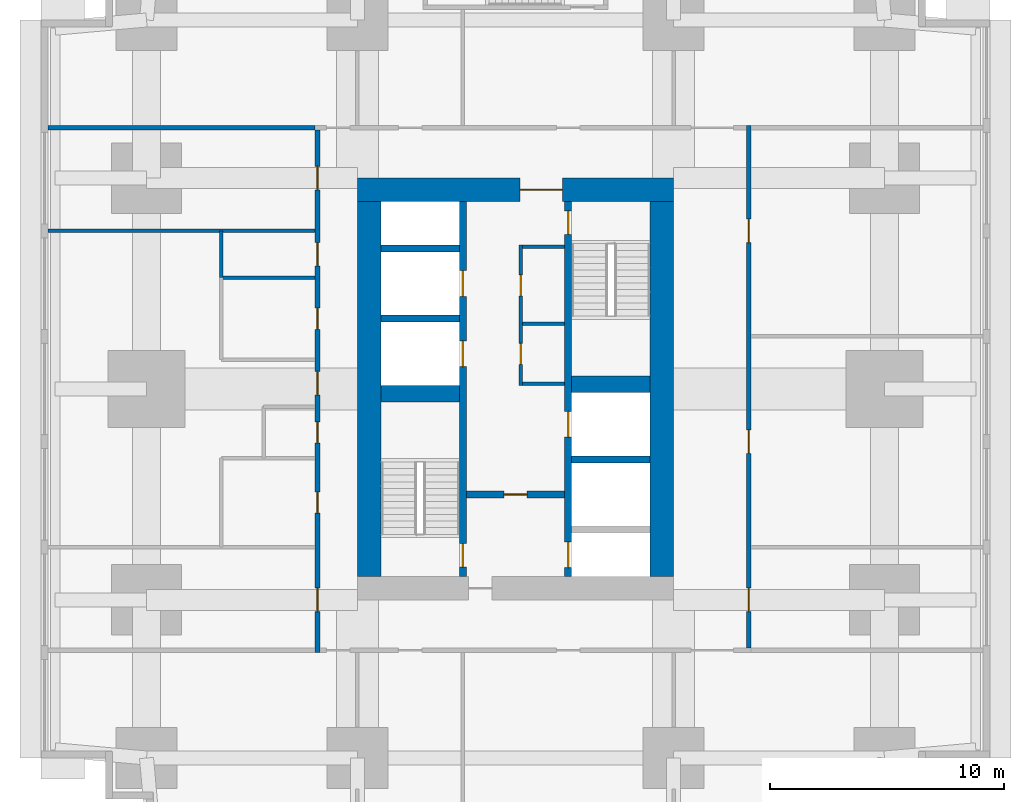
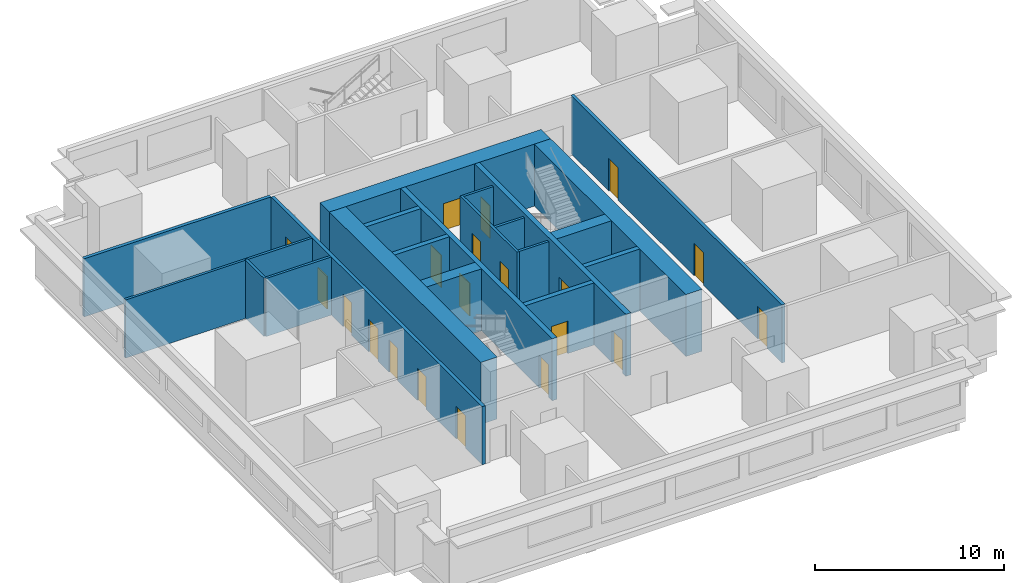
# One storey, part 4 of 11: 21 walls, 20 doors, 20 openings.
"""IFC4 building model written with IfcOpenShell, lengths in metres."""

from ifc_helpers import new_model, si_unit, direction, frame, frame_2d, origin, place, context, subcontext, project, spatial, rectangle, extrude, material, layer, layer_set, type_object, element, fill, save


model = new_model("IFC4")

# Units and contexts
model_context = context("Model", 3, precision=1e-05, world=origin(), true_north=direction((0.0, 1.0)))
body_context = subcontext(model_context, "Body", "Model", "MODEL_VIEW")
ifc_project = project(units=[si_unit("LENGTHUNIT", "METRE"), si_unit("AREAUNIT", "SQUARE_METRE"), si_unit("VOLUMEUNIT", "CUBIC_METRE"), si_unit("PLANEANGLEUNIT", "RADIAN"), si_unit("MASSUNIT", "GRAM", prefix="KILO")], contexts=[model_context])

# Site, building, storey
site_placement = place(None, origin())
site = spatial("IfcSite", under=ifc_project, at=site_placement, CompositionType="ELEMENT")
building_placement = place(site_placement, origin())
building = spatial("IfcBuilding", under=site, at=building_placement, Name="Namib Vertical Campus", CompositionType="ELEMENT")
storey_placement = place(building_placement, frame((0.0, 0.0, 37.0)))
storey = spatial("IfcBuildingStorey", under=building, at=storey_placement, Name="L08", CompositionType="ELEMENT", Elevation=37.0)

# Wall, openings, doors
ifc_material_1 = material(Name="Concrete C60/75", Category="concrete")
ifc_layer_1 = layer(ifc_material_1, 0.300048828125)
ifc_layer_set_1 = layer_set([ifc_layer_1], Name="Concrete C60/75")
wall_type_1 = type_object("IfcWallType", Name="Core inner wall 300", PredefinedType="SHEAR", material=ifc_layer_set_1)
wall_1_placement = place(storey_placement, frame((18.0, 12.25, 0.0), z_axis=(0.0, 0.0, 1.0), x_axis=(0.0, 1.0, 0.0)))
wall_1 = element("IfcWall", 1, at=wall_1_placement, inside=storey, type_object=wall_type_1, Name="Core inner wall A L08 W1", PredefinedType="SHEAR", context=body_context, shape_type="SweptSolid", body=[
    extrude(rectangle(XDim=16.0, YDim=0.300048828125, at=frame_2d((8.0, 0.0))), origin(), (0.0, 0.0, 1.0), 4.0),
])
opening_1_placement = place(wall_1_placement, frame((0.39990234375, 0.0, 0.0)))
opening_1 = element("IfcOpeningElement", 2, at=opening_1_placement, cuts=wall_1, Name="Opening FD1", PredefinedType="OPENING", context=body_context, shape_type="SweptSolid", body=[
    extrude(rectangle(XDim=1.0, YDim=2.10009765625, at=frame_2d((0.5, 1.050048828125))), frame((0.0, 0.159912109375, 0.0), z_axis=(0.0, -1.0, 0.0), x_axis=(1.0, 0.0, 0.0)), (0.0, 0.0, 1.0), 0.320068359375),
])
opening_2_placement = place(wall_1_placement, frame((8.949951171875, 0.0, 0.0)))
opening_2 = element("IfcOpeningElement", 3, at=opening_2_placement, cuts=wall_1, Name="Opening LD1", PredefinedType="OPENING", context=body_context, shape_type="SweptSolid", body=[
    extrude(rectangle(XDim=1.10009765625, YDim=2.10009765625, at=frame_2d((0.550048828125, 1.050048828125))), frame((0.0, 0.159912109375, 0.0), z_axis=(0.0, -1.0, 0.0), x_axis=(1.0, 0.0, 0.0)), (0.0, 0.0, 1.0), 0.320068359375),
])
opening_3_placement = place(wall_1_placement, frame((11.949951171875, 0.0, 0.0)))
opening_3 = element("IfcOpeningElement", 4, at=opening_3_placement, cuts=wall_1, Name="Opening LD1", PredefinedType="OPENING", context=body_context, shape_type="SweptSolid", body=[
    extrude(rectangle(XDim=1.10009765625, YDim=2.10009765625, at=frame_2d((0.550048828125, 1.050048828125))), frame((0.0, 0.159912109375, 0.0), z_axis=(0.0, -1.0, 0.0), x_axis=(1.0, 0.0, 0.0)), (0.0, 0.0, 1.0), 0.320068359375),
])
ifc_material_2 = material(Name="Steel fire door", Category="steel")
door_type_1 = type_object("IfcDoorType", Name="Fire door 1000x2100", OperationType="SINGLE_SWING_RIGHT", PredefinedType="DOOR", material=ifc_material_2)
door_1_placement = place(opening_1_placement, origin())
door_1 = element("IfcDoor", 5, at=door_1_placement, inside=storey, type_object=door_type_1, Name="Stair door FD1 A L08 S1", OperationType="SINGLE_SWING_LEFT", OverallHeight=2.10009765625, OverallWidth=1.0, PredefinedType="DOOR", context=body_context, shape_type="SweptSolid", body=[
    extrude(rectangle(XDim=1.0, YDim=2.10009765625, at=frame_2d((0.5, 1.050048828125))), frame((0.0, 0.02490234375, 0.0), z_axis=(0.0, -1.0, 0.0), x_axis=(1.0, 0.0, 0.0)), (0.0, 0.0, 1.0), 0.050048828125),
])
fill(opening_1, door_1)
ifc_material_3 = material(Name="Stainless steel lift door", Category="steel")
door_type_2 = type_object("IfcDoorType", Name="Lift landing door 1100x2100", OperationType="DOUBLE_DOOR_SLIDING", PredefinedType="DOOR", material=ifc_material_3)
door_2_placement = place(opening_2_placement, origin())
door_2 = element("IfcDoor", 6, at=door_2_placement, inside=storey, type_object=door_type_2, Name="Lift landing door LD1 A-P1 L08", OperationType="DOUBLE_DOOR_SLIDING", OverallHeight=2.10009765625, OverallWidth=1.10009765625, PredefinedType="DOOR", context=body_context, shape_type="SweptSolid", body=[
    extrude(rectangle(XDim=1.10009765625, YDim=2.10009765625, at=frame_2d((0.550048828125, 1.050048828125))), frame((0.0, 0.02490234375, 0.0), z_axis=(0.0, -1.0, 0.0), x_axis=(1.0, 0.0, 0.0)), (0.0, 0.0, 1.0), 0.050048828125),
])
fill(opening_2, door_2)
door_3_placement = place(opening_3_placement, origin())
door_3 = element("IfcDoor", 7, at=door_3_placement, inside=storey, type_object=door_type_2, Name="Lift landing door LD1 A-P2 L08", OperationType="DOUBLE_DOOR_SLIDING", OverallHeight=2.10009765625, OverallWidth=1.10009765625, PredefinedType="DOOR", context=body_context, shape_type="SweptSolid", body=[
    extrude(rectangle(XDim=1.10009765625, YDim=2.10009765625, at=frame_2d((0.550048828125, 1.050048828125))), frame((0.0, 0.02490234375, 0.0), z_axis=(0.0, -1.0, 0.0), x_axis=(1.0, 0.0, 0.0)), (0.0, 0.0, 1.0), 0.050048828125),
])
fill(opening_3, door_3)

wall_2_placement = place(storey_placement, frame((22.5, 12.25, 0.0), z_axis=(0.0, 0.0, 1.0), x_axis=(0.0, 1.0, 0.0)))
wall_2 = element("IfcWall", 8, at=wall_2_placement, inside=storey, type_object=wall_type_1, Name="Core inner wall A L08 W2", PredefinedType="SHEAR", context=body_context, shape_type="SweptSolid", body=[
    extrude(rectangle(XDim=16.0, YDim=0.300048828125, at=frame_2d((8.0, 0.0))), origin(), (0.0, 0.0, 1.0), 4.0),
])
opening_4_placement = place(wall_2_placement, frame((14.60009765625, 0.0, 0.0)))
opening_4 = element("IfcOpeningElement", 9, at=opening_4_placement, cuts=wall_2, Name="Opening FD1", PredefinedType="OPENING", context=body_context, shape_type="SweptSolid", body=[
    extrude(rectangle(XDim=1.0, YDim=2.10009765625, at=frame_2d((0.5, 1.050048828125))), frame((0.0, 0.159912109375, 0.0), z_axis=(0.0, -1.0, 0.0), x_axis=(1.0, 0.0, 0.0)), (0.0, 0.0, 1.0), 0.320068359375),
])
opening_5_placement = place(wall_2_placement, frame((0.375, 0.0, 0.0)))
opening_5 = element("IfcOpeningElement", 10, at=opening_5_placement, cuts=wall_2, Name="Opening LD1", PredefinedType="OPENING", context=body_context, shape_type="SweptSolid", body=[
    extrude(rectangle(XDim=1.10009765625, YDim=2.10009765625, at=frame_2d((0.550048828125, 1.050048828125))), frame((0.0, 0.159912109375, 0.0), z_axis=(0.0, -1.0, 0.0), x_axis=(1.0, 0.0, 0.0)), (0.0, 0.0, 1.0), 0.320068359375),
])
opening_6_placement = place(wall_2_placement, frame((5.949951171875, 0.0, 0.0)))
opening_6 = element("IfcOpeningElement", 11, at=opening_6_placement, cuts=wall_2, Name="Opening LD1", PredefinedType="OPENING", context=body_context, shape_type="SweptSolid", body=[
    extrude(rectangle(XDim=1.10009765625, YDim=2.10009765625, at=frame_2d((0.550048828125, 1.050048828125))), frame((0.0, 0.159912109375, 0.0), z_axis=(0.0, -1.0, 0.0), x_axis=(1.0, 0.0, 0.0)), (0.0, 0.0, 1.0), 0.320068359375),
])
door_4_placement = place(opening_4_placement, frame((1.0, 0.0, 0.0), z_axis=(0.0, 0.0, 1.0), x_axis=(-1.0, 0.0, 0.0)))
door_4 = element("IfcDoor", 12, at=door_4_placement, inside=storey, type_object=door_type_1, Name="Stair door FD1 A L08 S2", OperationType="SINGLE_SWING_LEFT", OverallHeight=2.10009765625, OverallWidth=1.0, PredefinedType="DOOR", context=body_context, shape_type="SweptSolid", body=[
    extrude(rectangle(XDim=1.0, YDim=2.10009765625, at=frame_2d((0.5, 1.050048828125))), frame((0.0, 0.02490234375, 0.0), z_axis=(0.0, -1.0, 0.0), x_axis=(1.0, 0.0, 0.0)), (0.0, 0.0, 1.0), 0.050048828125),
])
fill(opening_4, door_4)
door_5_placement = place(opening_5_placement, origin())
door_5 = element("IfcDoor", 13, at=door_5_placement, inside=storey, type_object=door_type_2, Name="Lift landing door LD1 A-FL1 L08", OperationType="DOUBLE_DOOR_SLIDING", OverallHeight=2.10009765625, OverallWidth=1.10009765625, PredefinedType="DOOR", context=body_context, shape_type="SweptSolid", body=[
    extrude(rectangle(XDim=1.10009765625, YDim=2.10009765625, at=frame_2d((0.550048828125, 1.050048828125))), frame((0.0, 0.02490234375, 0.0), z_axis=(0.0, -1.0, 0.0), x_axis=(1.0, 0.0, 0.0)), (0.0, 0.0, 1.0), 0.050048828125),
])
fill(opening_5, door_5)
door_6_placement = place(opening_6_placement, origin())
door_6 = element("IfcDoor", 14, at=door_6_placement, inside=storey, type_object=door_type_2, Name="Lift landing door LD1 A-P5 L08", OperationType="DOUBLE_DOOR_SLIDING", OverallHeight=2.10009765625, OverallWidth=1.10009765625, PredefinedType="DOOR", context=body_context, shape_type="SweptSolid", body=[
    extrude(rectangle(XDim=1.10009765625, YDim=2.10009765625, at=frame_2d((0.550048828125, 1.050048828125))), frame((0.0, 0.02490234375, 0.0), z_axis=(0.0, -1.0, 0.0), x_axis=(1.0, 0.0, 0.0)), (0.0, 0.0, 1.0), 0.050048828125),
])
fill(opening_6, door_6)

# Wall, opening, door
wall_3_placement = place(storey_placement, frame((18.14990234375, 15.75, 0.0), z_axis=(0.0, 0.0, 1.0), x_axis=(1.0, 0.0, 0.0)))
wall_3 = element("IfcWall", 15, at=wall_3_placement, inside=storey, type_object=wall_type_1, Name="Core inner wall A L08 W4", PredefinedType="SHEAR", context=body_context, shape_type="SweptSolid", body=[
    extrude(rectangle(XDim=4.2001953125, YDim=0.300048828125, at=frame_2d((2.10009765625, 0.0))), origin(), (0.0, 0.0, 1.0), 4.0),
])
opening_7_placement = place(wall_3_placement, frame((1.60009765625, 0.0, 0.0)))
opening_7 = element("IfcOpeningElement", 16, at=opening_7_placement, cuts=wall_3, Name="Opening FD5", PredefinedType="OPENING", context=body_context, shape_type="SweptSolid", body=[
    extrude(rectangle(XDim=1.0, YDim=2.10009765625, at=frame_2d((0.5, 1.050048828125))), frame((0.0, 0.159912109375, 0.0), z_axis=(0.0, -1.0, 0.0), x_axis=(1.0, 0.0, 0.0)), (0.0, 0.0, 1.0), 0.320068359375),
])
ifc_material_4 = material(Name="Steel fire door", Category="steel")
door_type_3 = type_object("IfcDoorType", Name="Fire door 1000x2100 120 min", OperationType="SINGLE_SWING_RIGHT", PredefinedType="DOOR", material=ifc_material_4)
door_7_placement = place(opening_7_placement, frame((1.0, 0.0, 0.0), z_axis=(0.0, 0.0, 1.0), x_axis=(-1.0, 0.0, 0.0)))
door_7 = element("IfcDoor", 17, at=door_7_placement, inside=storey, type_object=door_type_3, Name="Lobby door FD5 A L08", OperationType="SINGLE_SWING_RIGHT", OverallHeight=2.10009765625, OverallWidth=1.0, PredefinedType="DOOR", context=body_context, shape_type="SweptSolid", body=[
    extrude(rectangle(XDim=1.0, YDim=2.10009765625, at=frame_2d((0.5, 1.050048828125))), frame((0.0, 0.02490234375, 0.0), z_axis=(0.0, -1.0, 0.0), x_axis=(1.0, 0.0, 0.0)), (0.0, 0.0, 1.0), 0.050048828125),
])
fill(opening_7, door_7)

# Walls
for number, where, z_axis, x_axis, name in (
    (18, (22.64990234375, 17.25, 0.0), (0.0, 0.0, 1.0), (1.0, 0.0, 0.0), "Core inner wall A L08 W6"),
    (19, (14.5, 23.25, 0.0), (0.0, 0.0, 1.0), (1.0, 0.0, 0.0), "Core inner wall A L08 W8"),
    (20, (14.5, 26.25, 0.0), (0.0, 0.0, 1.0), (1.0, 0.0, 0.0), "Core inner wall A L08 W9"),
):
    element("IfcWall", number, at=place(storey_placement, frame(where, z_axis=z_axis, x_axis=x_axis)), inside=storey, type_object=wall_type_1, Name=name, PredefinedType="SHEAR", context=body_context, shape_type="SweptSolid", body=[
        extrude(rectangle(XDim=3.35009765625, YDim=0.300048828125, at=frame_2d((1.675048828125, 0.0))), origin(), (0.0, 0.0, 1.0), 4.0),
    ])
ifc_material_5 = material(Name="Concrete C60/75", Category="concrete")
ifc_layer_2 = layer(ifc_material_5, 0.699951171875)
ifc_layer_set_2 = layer_set([ifc_layer_2], Name="Concrete C60/75")
wall_type_2 = type_object("IfcWallType", Name="Core shear wall 700", PredefinedType="SHEAR", material=ifc_layer_set_2)
for number, where, z_axis, x_axis, name in (
    (21, (14.5, 20.050048828125, 0.0), (0.0, 0.0, 1.0), (1.0, 0.0, 0.0), "Core shear wall A L08 W3"),
    (22, (22.64990234375, 20.449951171875, 0.0), (0.0, 0.0, 1.0), (1.0, 0.0, 0.0), "Core shear wall A L08 W7"),
):
    element("IfcWall", number, at=place(storey_placement, frame(where, z_axis=z_axis, x_axis=x_axis)), inside=storey, type_object=wall_type_2, Name=name, PredefinedType="SHEAR", context=body_context, shape_type="SweptSolid", body=[
        extrude(rectangle(XDim=3.35009765625, YDim=0.699951171875, at=frame_2d((1.675048828125, 0.0))), origin(), (0.0, 0.0, 1.0), 4.0),
    ])
ifc_material_6 = material(Name="Concrete C60/75", Category="concrete")
ifc_layer_3 = layer(ifc_material_6, 1.0)
ifc_layer_set_3 = layer_set([ifc_layer_3], Name="Concrete C60/75")
wall_type_3 = type_object("IfcWallType", Name="Core wall 1000", PredefinedType="SHEAR", material=ifc_layer_set_3)
wall_4_placement = place(storey_placement, frame((26.5, 12.25, 0.0), z_axis=(0.0, 0.0, 1.0), x_axis=(0.0, 1.0, 0.0)))
element("IfcWall", 23, at=wall_4_placement, inside=storey, type_object=wall_type_3, Name="Core wall A L08 2", PredefinedType="SHEAR", context=body_context, shape_type="SweptSolid", body=[
    extrude(rectangle(XDim=16.0, YDim=1.0, at=frame_2d((8.0, 0.0))), origin(), (0.0, 0.0, 1.0), 4.0),
])

# Wall, opening, door
wall_5_placement = place(storey_placement, frame((27.0, 28.75, 0.0), z_axis=(0.0, 0.0, 1.0), x_axis=(-1.0, 0.0, 0.0)))
wall_5 = element("IfcWall", 24, at=wall_5_placement, inside=storey, type_object=wall_type_3, Name="Core wall A L08 3", PredefinedType="SHEAR", context=body_context, shape_type="SweptSolid", body=[
    extrude(rectangle(XDim=13.5, YDim=1.0, at=frame_2d((6.75, 0.0))), origin(), (0.0, 0.0, 1.0), 4.0),
])
opening_8_placement = place(wall_5_placement, frame((4.75, 0.0, 0.0)))
opening_8 = element("IfcOpeningElement", 25, at=opening_8_placement, cuts=wall_5, Name="Opening FD2", PredefinedType="OPENING", context=body_context, shape_type="SweptSolid", body=[
    extrude(rectangle(XDim=1.800048828125, YDim=2.10009765625, at=frame_2d((0.89990234375, 1.050048828125))), frame((0.0, 0.510009765625, 0.0), z_axis=(0.0, -1.0, 0.0), x_axis=(1.0, 0.0, 0.0)), (0.0, 0.0, 1.0), 1.02001953125),
])
ifc_material_7 = material(Name="Steel fire door", Category="steel")
door_type_4 = type_object("IfcDoorType", Name="Fire door double 1800x2100", OperationType="DOUBLE_DOOR_SINGLE_SWING", PredefinedType="DOOR", material=ifc_material_7)
door_8_placement = place(opening_8_placement, origin())
door_8 = element("IfcDoor", 26, at=door_8_placement, inside=storey, type_object=door_type_4, Name="Lift lobby door FD2 A L08", OperationType="DOUBLE_DOOR_SINGLE_SWING", OverallHeight=2.10009765625, OverallWidth=1.800048828125, PredefinedType="DOOR", context=body_context, shape_type="SweptSolid", body=[
    extrude(rectangle(XDim=1.800048828125, YDim=2.10009765625, at=frame_2d((0.89990234375, 1.050048828125))), frame((0.0, 0.02490234375, 0.0), z_axis=(0.0, -1.0, 0.0), x_axis=(1.0, 0.0, 0.0)), (0.0, 0.0, 1.0), 0.050048828125),
])
fill(opening_8, door_8)

# Wall
wall_6_placement = place(storey_placement, frame((14.0, 28.25, 0.0), z_axis=(0.0, 0.0, 1.0), x_axis=(0.0, -1.0, 0.0)))
element("IfcWall", 27, at=wall_6_placement, inside=storey, type_object=wall_type_3, Name="Core wall A L08 4", PredefinedType="SHEAR", context=body_context, shape_type="SweptSolid", body=[
    extrude(rectangle(XDim=16.0, YDim=1.0, at=frame_2d((8.0, 0.0))), origin(), (0.0, 0.0, 1.0), 4.0),
])

# Wall, openings, doors
ifc_material_8 = material(Name="Concrete masonry", Category="masonry")
ifc_layer_4 = layer(ifc_material_8, 0.199951171875)
ifc_layer_set_4 = layer_set([ifc_layer_4], Name="Corridor wall 200")
wall_type_4 = type_object("IfcWallType", Name="Corridor wall 200", PredefinedType="SOLIDWALL", material=ifc_layer_set_4)
wall_7_placement = place(storey_placement, frame((30.199951171875, 9.199951171875, 0.0), z_axis=(0.0, 0.0, 1.0), x_axis=(0.0, 1.0, 0.0)))
wall_7 = element("IfcWall", 28, at=wall_7_placement, inside=storey, type_object=wall_type_4, Name="Corridor wall A L08 CE", PredefinedType="SOLIDWALL", context=body_context, shape_type="SweptSolid", body=[
    extrude(rectangle(XDim=22.300048828125, YDim=0.199951171875, at=frame_2d((11.14990234375, 0.0))), origin(), (0.0, 0.0, 1.0), 3.75),
])
opening_9_placement = place(wall_7_placement, frame((1.550048828125, 0.0, 0.0)))
opening_9 = element("IfcOpeningElement", 29, at=opening_9_placement, cuts=wall_7, Name="Opening CD1", PredefinedType="OPENING", context=body_context, shape_type="SweptSolid", body=[
    extrude(rectangle(XDim=1.0, YDim=2.10009765625, at=frame_2d((0.5, 1.050048828125))), frame((0.0, 0.10986328125, 0.0), z_axis=(0.0, -1.0, 0.0), x_axis=(1.0, 0.0, 0.0)), (0.0, 0.0, 1.0), 0.219970703125),
])
opening_10_placement = place(wall_7_placement, frame((8.300048828125, 0.0, 0.0)))
opening_10 = element("IfcOpeningElement", 30, at=opening_10_placement, cuts=wall_7, Name="Opening CD1", PredefinedType="OPENING", context=body_context, shape_type="SweptSolid", body=[
    extrude(rectangle(XDim=1.0, YDim=2.10009765625, at=frame_2d((0.5, 1.050048828125))), frame((0.0, 0.10986328125, 0.0), z_axis=(0.0, -1.0, 0.0), x_axis=(1.0, 0.0, 0.0)), (0.0, 0.0, 1.0), 0.219970703125),
])
opening_11_placement = place(wall_7_placement, frame((17.300048828125, 0.0, 0.0)))
opening_11 = element("IfcOpeningElement", 31, at=opening_11_placement, cuts=wall_7, Name="Opening CD1", PredefinedType="OPENING", context=body_context, shape_type="SweptSolid", body=[
    extrude(rectangle(XDim=1.0, YDim=2.10009765625, at=frame_2d((0.5, 1.050048828125))), frame((0.0, 0.10986328125, 0.0), z_axis=(0.0, -1.0, 0.0), x_axis=(1.0, 0.0, 0.0)), (0.0, 0.0, 1.0), 0.219970703125),
])
ifc_material_9 = material(Name="Timber fire door leaf", Category="wood")
door_type_5 = type_object("IfcDoorType", Name="Corridor door 1000x2100 20 min", OperationType="SINGLE_SWING_LEFT", PredefinedType="DOOR", material=ifc_material_9)
door_9_placement = place(opening_9_placement, frame((1.0, 0.0, 0.0), z_axis=(0.0, 0.0, 1.0), x_axis=(-1.0, 0.0, 0.0)))
door_9 = element("IfcDoor", 32, at=door_9_placement, inside=storey, type_object=door_type_5, Name="Door CD1 A08-05", OperationType="SINGLE_SWING_RIGHT", OverallHeight=2.10009765625, OverallWidth=1.0, PredefinedType="DOOR", context=body_context, shape_type="SweptSolid", body=[
    extrude(rectangle(XDim=1.0, YDim=2.10009765625, at=frame_2d((0.5, 1.050048828125))), frame((0.0, 0.02490234375, 0.0), z_axis=(0.0, -1.0, 0.0), x_axis=(1.0, 0.0, 0.0)), (0.0, 0.0, 1.0), 0.050048828125),
])
fill(opening_9, door_9)
door_10_placement = place(opening_10_placement, frame((1.0, 0.0, 0.0), z_axis=(0.0, 0.0, 1.0), x_axis=(-1.0, 0.0, 0.0)))
door_10 = element("IfcDoor", 33, at=door_10_placement, inside=storey, type_object=door_type_5, Name="Door CD1 A08-06", OperationType="SINGLE_SWING_RIGHT", OverallHeight=2.10009765625, OverallWidth=1.0, PredefinedType="DOOR", context=body_context, shape_type="SweptSolid", body=[
    extrude(rectangle(XDim=1.0, YDim=2.10009765625, at=frame_2d((0.5, 1.050048828125))), frame((0.0, 0.02490234375, 0.0), z_axis=(0.0, -1.0, 0.0), x_axis=(1.0, 0.0, 0.0)), (0.0, 0.0, 1.0), 0.050048828125),
])
fill(opening_10, door_10)
door_11_placement = place(opening_11_placement, frame((1.0, 0.0, 0.0), z_axis=(0.0, 0.0, 1.0), x_axis=(-1.0, 0.0, 0.0)))
door_11 = element("IfcDoor", 34, at=door_11_placement, inside=storey, type_object=door_type_5, Name="Door CD1 A08-07", OperationType="SINGLE_SWING_RIGHT", OverallHeight=2.10009765625, OverallWidth=1.0, PredefinedType="DOOR", context=body_context, shape_type="SweptSolid", body=[
    extrude(rectangle(XDim=1.0, YDim=2.10009765625, at=frame_2d((0.5, 1.050048828125))), frame((0.0, 0.02490234375, 0.0), z_axis=(0.0, -1.0, 0.0), x_axis=(1.0, 0.0, 0.0)), (0.0, 0.0, 1.0), 0.050048828125),
])
fill(opening_11, door_11)

wall_8_placement = place(storey_placement, frame((11.800048828125, 31.300048828125, 0.0), z_axis=(0.0, 0.0, 1.0), x_axis=(0.0, -1.0, 0.0)))
wall_8 = element("IfcWall", 35, at=wall_8_placement, inside=storey, type_object=wall_type_4, Name="Corridor wall A L08 CW", PredefinedType="SOLIDWALL", context=body_context, shape_type="SweptSolid", body=[
    extrude(rectangle(XDim=22.300048828125, YDim=0.199951171875, at=frame_2d((11.14990234375, 0.0))), origin(), (0.0, 0.0, 1.0), 3.75),
])
opening_12_placement = place(wall_8_placement, frame((19.550048828125, 0.0, 0.0)))
opening_12 = element("IfcOpeningElement", 36, at=opening_12_placement, cuts=wall_8, Name="Opening CD1", PredefinedType="OPENING", context=body_context, shape_type="SweptSolid", body=[
    extrude(rectangle(XDim=1.0, YDim=2.10009765625, at=frame_2d((0.5, 1.050048828125))), frame((0.0, 0.10986328125, 0.0), z_axis=(0.0, -1.0, 0.0), x_axis=(1.0, 0.0, 0.0)), (0.0, 0.0, 1.0), 0.219970703125),
])
opening_13_placement = place(wall_8_placement, frame((15.449951171875, 0.0, 0.0)))
opening_13 = element("IfcOpeningElement", 37, at=opening_13_placement, cuts=wall_8, Name="Opening CD3", PredefinedType="OPENING", context=body_context, shape_type="SweptSolid", body=[
    extrude(rectangle(XDim=0.89990234375, YDim=2.10009765625, at=frame_2d((0.449951171875, 1.050048828125))), frame((0.0, 0.10986328125, 0.0), z_axis=(0.0, -1.0, 0.0), x_axis=(1.0, 0.0, 0.0)), (0.0, 0.0, 1.0), 0.219970703125),
])
opening_14_placement = place(wall_8_placement, frame((12.449951171875, 0.0, 0.0)))
opening_14 = element("IfcOpeningElement", 38, at=opening_14_placement, cuts=wall_8, Name="Opening CD3", PredefinedType="OPENING", context=body_context, shape_type="SweptSolid", body=[
    extrude(rectangle(XDim=0.89990234375, YDim=2.10009765625, at=frame_2d((0.449951171875, 1.050048828125))), frame((0.0, 0.10986328125, 0.0), z_axis=(0.0, -1.0, 0.0), x_axis=(1.0, 0.0, 0.0)), (0.0, 0.0, 1.0), 0.219970703125),
])
opening_15_placement = place(wall_8_placement, frame((7.60009765625, 0.0, 0.0)))
opening_15 = element("IfcOpeningElement", 39, at=opening_15_placement, cuts=wall_8, Name="Opening CD3", PredefinedType="OPENING", context=body_context, shape_type="SweptSolid", body=[
    extrude(rectangle(XDim=0.89990234375, YDim=2.10009765625, at=frame_2d((0.449951171875, 1.050048828125))), frame((0.0, 0.10986328125, 0.0), z_axis=(0.0, -1.0, 0.0), x_axis=(1.0, 0.0, 0.0)), (0.0, 0.0, 1.0), 0.219970703125),
])
opening_16_placement = place(wall_8_placement, frame((4.800048828125, 0.0, 0.0)))
opening_16 = element("IfcOpeningElement", 40, at=opening_16_placement, cuts=wall_8, Name="Opening CD1", PredefinedType="OPENING", context=body_context, shape_type="SweptSolid", body=[
    extrude(rectangle(XDim=1.0, YDim=2.10009765625, at=frame_2d((0.5, 1.050048828125))), frame((0.0, 0.10986328125, 0.0), z_axis=(0.0, -1.0, 0.0), x_axis=(1.0, 0.0, 0.0)), (0.0, 0.0, 1.0), 0.219970703125),
])
opening_17_placement = place(wall_8_placement, frame((10.300048828125, 0.0, 0.0)))
opening_17 = element("IfcOpeningElement", 41, at=opening_17_placement, cuts=wall_8, Name="Opening CD1", PredefinedType="OPENING", context=body_context, shape_type="SweptSolid", body=[
    extrude(rectangle(XDim=1.0, YDim=2.10009765625, at=frame_2d((0.5, 1.050048828125))), frame((0.0, 0.10986328125, 0.0), z_axis=(0.0, -1.0, 0.0), x_axis=(1.0, 0.0, 0.0)), (0.0, 0.0, 1.0), 0.219970703125),
])
opening_18_placement = place(wall_8_placement, frame((1.550048828125, 0.0, 0.0)))
opening_18 = element("IfcOpeningElement", 42, at=opening_18_placement, cuts=wall_8, Name="Opening CD1", PredefinedType="OPENING", context=body_context, shape_type="SweptSolid", body=[
    extrude(rectangle(XDim=1.0, YDim=2.10009765625, at=frame_2d((0.5, 1.050048828125))), frame((0.0, 0.10986328125, 0.0), z_axis=(0.0, -1.0, 0.0), x_axis=(1.0, 0.0, 0.0)), (0.0, 0.0, 1.0), 0.219970703125),
])
door_12_placement = place(opening_12_placement, frame((1.0, 0.0, 0.0), z_axis=(0.0, 0.0, 1.0), x_axis=(-1.0, 0.0, 0.0)))
door_12 = element("IfcDoor", 43, at=door_12_placement, inside=storey, type_object=door_type_5, Name="Door CD1 A08-12", OperationType="SINGLE_SWING_RIGHT", OverallHeight=2.10009765625, OverallWidth=1.0, PredefinedType="DOOR", context=body_context, shape_type="SweptSolid", body=[
    extrude(rectangle(XDim=1.0, YDim=2.10009765625, at=frame_2d((0.5, 1.050048828125))), frame((0.0, 0.02490234375, 0.0), z_axis=(0.0, -1.0, 0.0), x_axis=(1.0, 0.0, 0.0)), (0.0, 0.0, 1.0), 0.050048828125),
])
fill(opening_12, door_12)
door_13_placement = place(opening_16_placement, frame((1.0, 0.0, 0.0), z_axis=(0.0, 0.0, 1.0), x_axis=(-1.0, 0.0, 0.0)))
door_13 = element("IfcDoor", 44, at=door_13_placement, inside=storey, type_object=door_type_5, Name="Door CD1 A08-16", OperationType="SINGLE_SWING_RIGHT", OverallHeight=2.10009765625, OverallWidth=1.0, PredefinedType="DOOR", context=body_context, shape_type="SweptSolid", body=[
    extrude(rectangle(XDim=1.0, YDim=2.10009765625, at=frame_2d((0.5, 1.050048828125))), frame((0.0, 0.02490234375, 0.0), z_axis=(0.0, -1.0, 0.0), x_axis=(1.0, 0.0, 0.0)), (0.0, 0.0, 1.0), 0.050048828125),
])
fill(opening_16, door_13)
door_14_placement = place(opening_17_placement, frame((1.0, 0.0, 0.0), z_axis=(0.0, 0.0, 1.0), x_axis=(-1.0, 0.0, 0.0)))
door_14 = element("IfcDoor", 45, at=door_14_placement, inside=storey, type_object=door_type_5, Name="Door CD1 A08-17", OperationType="SINGLE_SWING_RIGHT", OverallHeight=2.10009765625, OverallWidth=1.0, PredefinedType="DOOR", context=body_context, shape_type="SweptSolid", body=[
    extrude(rectangle(XDim=1.0, YDim=2.10009765625, at=frame_2d((0.5, 1.050048828125))), frame((0.0, 0.02490234375, 0.0), z_axis=(0.0, -1.0, 0.0), x_axis=(1.0, 0.0, 0.0)), (0.0, 0.0, 1.0), 0.050048828125),
])
fill(opening_17, door_14)
door_15_placement = place(opening_18_placement, frame((1.0, 0.0, 0.0), z_axis=(0.0, 0.0, 1.0), x_axis=(-1.0, 0.0, 0.0)))
door_15 = element("IfcDoor", 46, at=door_15_placement, inside=storey, type_object=door_type_5, Name="Door CD1 A08-18", OperationType="SINGLE_SWING_RIGHT", OverallHeight=2.10009765625, OverallWidth=1.0, PredefinedType="DOOR", context=body_context, shape_type="SweptSolid", body=[
    extrude(rectangle(XDim=1.0, YDim=2.10009765625, at=frame_2d((0.5, 1.050048828125))), frame((0.0, 0.02490234375, 0.0), z_axis=(0.0, -1.0, 0.0), x_axis=(1.0, 0.0, 0.0)), (0.0, 0.0, 1.0), 0.050048828125),
])
fill(opening_18, door_15)
ifc_material_10 = material(Name="Timber fire door leaf", Category="wood")
door_type_6 = type_object("IfcDoorType", Name="Corridor toilet door 900x2100 20 min", OperationType="SINGLE_SWING_LEFT", PredefinedType="DOOR", material=ifc_material_10)
door_16_placement = place(opening_13_placement, frame((0.89990234375, 0.0, 0.0), z_axis=(0.0, 0.0, 1.0), x_axis=(-1.0, 0.0, 0.0)))
door_16 = element("IfcDoor", 47, at=door_16_placement, inside=storey, type_object=door_type_6, Name="Door CD3 A08-13", OperationType="SINGLE_SWING_RIGHT", OverallHeight=2.10009765625, OverallWidth=0.89990234375, PredefinedType="DOOR", context=body_context, shape_type="SweptSolid", body=[
    extrude(rectangle(XDim=0.89990234375, YDim=2.10009765625, at=frame_2d((0.449951171875, 1.050048828125))), frame((0.0, 0.02490234375, 0.0), z_axis=(0.0, -1.0, 0.0), x_axis=(1.0, 0.0, 0.0)), (0.0, 0.0, 1.0), 0.050048828125),
])
fill(opening_13, door_16)
door_17_placement = place(opening_14_placement, frame((0.89990234375, 0.0, 0.0), z_axis=(0.0, 0.0, 1.0), x_axis=(-1.0, 0.0, 0.0)))
door_17 = element("IfcDoor", 48, at=door_17_placement, inside=storey, type_object=door_type_6, Name="Door CD3 A08-14", OperationType="SINGLE_SWING_RIGHT", OverallHeight=2.10009765625, OverallWidth=0.89990234375, PredefinedType="DOOR", context=body_context, shape_type="SweptSolid", body=[
    extrude(rectangle(XDim=0.89990234375, YDim=2.10009765625, at=frame_2d((0.449951171875, 1.050048828125))), frame((0.0, 0.02490234375, 0.0), z_axis=(0.0, -1.0, 0.0), x_axis=(1.0, 0.0, 0.0)), (0.0, 0.0, 1.0), 0.050048828125),
])
fill(opening_14, door_17)
door_18_placement = place(opening_15_placement, frame((0.89990234375, 0.0, 0.0), z_axis=(0.0, 0.0, 1.0), x_axis=(-1.0, 0.0, 0.0)))
door_18 = element("IfcDoor", 49, at=door_18_placement, inside=storey, type_object=door_type_6, Name="Door CD3 A08-15", OperationType="SINGLE_SWING_RIGHT", OverallHeight=2.10009765625, OverallWidth=0.89990234375, PredefinedType="DOOR", context=body_context, shape_type="SweptSolid", body=[
    extrude(rectangle(XDim=0.89990234375, YDim=2.10009765625, at=frame_2d((0.449951171875, 1.050048828125))), frame((0.0, 0.02490234375, 0.0), z_axis=(0.0, -1.0, 0.0), x_axis=(1.0, 0.0, 0.0)), (0.0, 0.0, 1.0), 0.050048828125),
])
fill(opening_15, door_18)

# Wall
wall_9_placement = place(storey_placement, frame((0.300048828125, 31.39990234375, 0.0), z_axis=(0.0, 0.0, 1.0), x_axis=(1.0, 0.0, 0.0)))
element("IfcWall", 50, at=wall_9_placement, inside=storey, type_object=wall_type_4, Name="Partition A L08 BNW", PredefinedType="SOLIDWALL", context=body_context, shape_type="SweptSolid", body=[
    extrude(rectangle(XDim=11.39990234375, YDim=0.199951171875, at=frame_2d((5.699951171875, 0.0))), origin(), (0.0, 0.0, 1.0), 3.75),
])

# Wall, openings, doors
ifc_material_11 = material(Name="Gypsum board on steel studs", Category="steel")
ifc_layer_5 = layer(ifc_material_11, 0.14990234375)
ifc_layer_set_5 = layer_set([ifc_layer_5], Name="Gypsum board on steel studs")
wall_type_5 = type_object("IfcWallType", Name="Partition 150", PredefinedType="PARTITIONING", material=ifc_layer_set_5)
wall_10_placement = place(storey_placement, frame((20.47509765625, 20.39990234375, 0.0), z_axis=(0.0, 0.0, 1.0), x_axis=(0.0, 1.0, 0.0)))
wall_10 = element("IfcWall", 51, at=wall_10_placement, inside=storey, type_object=wall_type_5, Name="Partition A L08 Comms room and Store front", PredefinedType="PARTITIONING", context=body_context, shape_type="SweptSolid", body=[
    extrude(rectangle(XDim=6.0, YDim=0.14990234375, at=frame_2d((3.0, 0.0))), origin(), (0.0, 0.0, 1.0), 3.75),
])
opening_19_placement = place(wall_10_placement, frame((0.89990234375, 0.0, 0.0)))
opening_19 = element("IfcOpeningElement", 52, at=opening_19_placement, cuts=wall_10, Name="Opening D3", PredefinedType="OPENING", context=body_context, shape_type="SweptSolid", body=[
    extrude(rectangle(XDim=0.89990234375, YDim=2.10009765625, at=frame_2d((0.449951171875, 1.050048828125))), frame((0.0, 0.0849609375, 0.0), z_axis=(0.0, -1.0, 0.0), x_axis=(1.0, 0.0, 0.0)), (0.0, 0.0, 1.0), 0.169921875),
])
opening_20_placement = place(wall_10_placement, frame((3.824951171875, 0.0, 0.0)))
opening_20 = element("IfcOpeningElement", 53, at=opening_20_placement, cuts=wall_10, Name="Opening D3", PredefinedType="OPENING", context=body_context, shape_type="SweptSolid", body=[
    extrude(rectangle(XDim=0.89990234375, YDim=2.10009765625, at=frame_2d((0.449951171875, 1.050048828125))), frame((0.0, 0.0849609375, 0.0), z_axis=(0.0, -1.0, 0.0), x_axis=(1.0, 0.0, 0.0)), (0.0, 0.0, 1.0), 0.169921875),
])
ifc_material_12 = material(Name="Timber door leaf", Category="wood")
door_type_7 = type_object("IfcDoorType", Name="Toilet door 900x2100", OperationType="SINGLE_SWING_LEFT", PredefinedType="DOOR", material=ifc_material_12)
door_19_placement = place(opening_19_placement, frame((0.89990234375, 0.0, 0.0), z_axis=(0.0, 0.0, 1.0), x_axis=(-1.0, 0.0, 0.0)))
door_19 = element("IfcDoor", 54, at=door_19_placement, inside=storey, type_object=door_type_7, Name="Door D3 Comms room A L08", OperationType="SINGLE_SWING_RIGHT", OverallHeight=2.10009765625, OverallWidth=0.89990234375, PredefinedType="DOOR", context=body_context, shape_type="SweptSolid", body=[
    extrude(rectangle(XDim=0.89990234375, YDim=2.10009765625, at=frame_2d((0.449951171875, 1.050048828125))), frame((0.0, 0.02490234375, 0.0), z_axis=(0.0, -1.0, 0.0), x_axis=(1.0, 0.0, 0.0)), (0.0, 0.0, 1.0), 0.050048828125),
])
fill(opening_19, door_19)
door_20_placement = place(opening_20_placement, frame((0.89990234375, 0.0, 0.0), z_axis=(0.0, 0.0, 1.0), x_axis=(-1.0, 0.0, 0.0)))
door_20 = element("IfcDoor", 55, at=door_20_placement, inside=storey, type_object=door_type_7, Name="Door D3 Store A L08", OperationType="SINGLE_SWING_RIGHT", OverallHeight=2.10009765625, OverallWidth=0.89990234375, PredefinedType="DOOR", context=body_context, shape_type="SweptSolid", body=[
    extrude(rectangle(XDim=0.89990234375, YDim=2.10009765625, at=frame_2d((0.449951171875, 1.050048828125))), frame((0.0, 0.02490234375, 0.0), z_axis=(0.0, -1.0, 0.0), x_axis=(1.0, 0.0, 0.0)), (0.0, 0.0, 1.0), 0.050048828125),
])
fill(opening_20, door_20)

# Walls
for number, where, z_axis, x_axis, name in (
    (56, (20.550048828125, 20.47509765625, 0.0), (0.0, 0.0, 1.0), (1.0, 0.0, 0.0), "Partition A L08 Comms room and Store end 1"),
    (57, (20.550048828125, 23.02490234375, 0.0), (0.0, 0.0, 1.0), (1.0, 0.0, 0.0), "Partition A L08 Comms room and Store division 2"),
    (58, (20.550048828125, 26.324951171875, 0.0), (0.0, 0.0, 1.0), (1.0, 0.0, 0.0), "Partition A L08 Comms room and Store end 3"),
):
    element("IfcWall", number, at=place(storey_placement, frame(where, z_axis=z_axis, x_axis=x_axis)), inside=storey, type_object=wall_type_5, Name=name, PredefinedType="PARTITIONING", context=body_context, shape_type="SweptSolid", body=[
        extrude(rectangle(XDim=1.800048828125, YDim=0.14990234375, at=frame_2d((0.89990234375, 0.0))), origin(), (0.0, 0.0, 1.0), 3.75),
    ])
wall_11_placement = place(storey_placement, frame((0.300048828125, 27.0, 0.0), z_axis=(0.0, 0.0, 1.0), x_axis=(1.0, 0.0, 0.0)))
element("IfcWall", 59, at=wall_11_placement, inside=storey, type_object=wall_type_5, Name="Partition A L08 PW2", PredefinedType="PARTITIONING", context=body_context, shape_type="SweptSolid", body=[
    extrude(rectangle(XDim=11.39990234375, YDim=0.14990234375, at=frame_2d((5.699951171875, 0.0))), origin(), (0.0, 0.0, 1.0), 3.75),
])
wall_12_placement = place(storey_placement, frame((11.699951171875, 25.0, 0.0), z_axis=(0.0, 0.0, 1.0), x_axis=(-1.0, 0.0, 0.0)))
element("IfcWall", 60, at=wall_12_placement, inside=storey, type_object=wall_type_5, Name="Partition A L08 WR4", PredefinedType="PARTITIONING", context=body_context, shape_type="SweptSolid", body=[
    extrude(rectangle(XDim=4.0, YDim=0.14990234375, at=frame_2d((2.0, 0.0))), origin(), (0.0, 0.0, 1.0), 3.75),
])
wall_13_placement = place(storey_placement, frame((7.699951171875, 25.0, 0.0), z_axis=(0.0, 0.0, 1.0), x_axis=(0.0, 1.0, 0.0)))
element("IfcWall", 61, at=wall_13_placement, inside=storey, type_object=wall_type_5, Name="Partition A L08 WB4", PredefinedType="PARTITIONING", context=body_context, shape_type="SweptSolid", body=[
    extrude(rectangle(XDim=2.0, YDim=0.14990234375, at=frame_2d((1.0, 0.0))), origin(), (0.0, 0.0, 1.0), 3.75),
])

save(model, "model.ifc")
